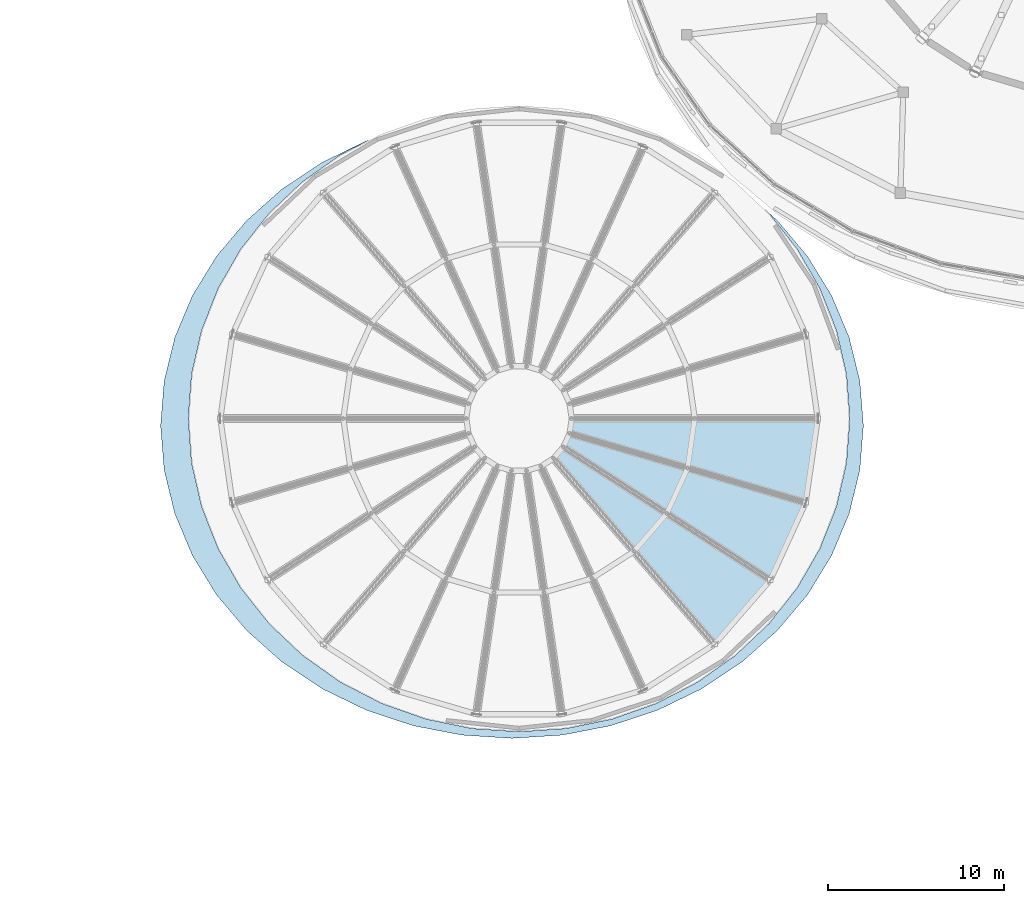
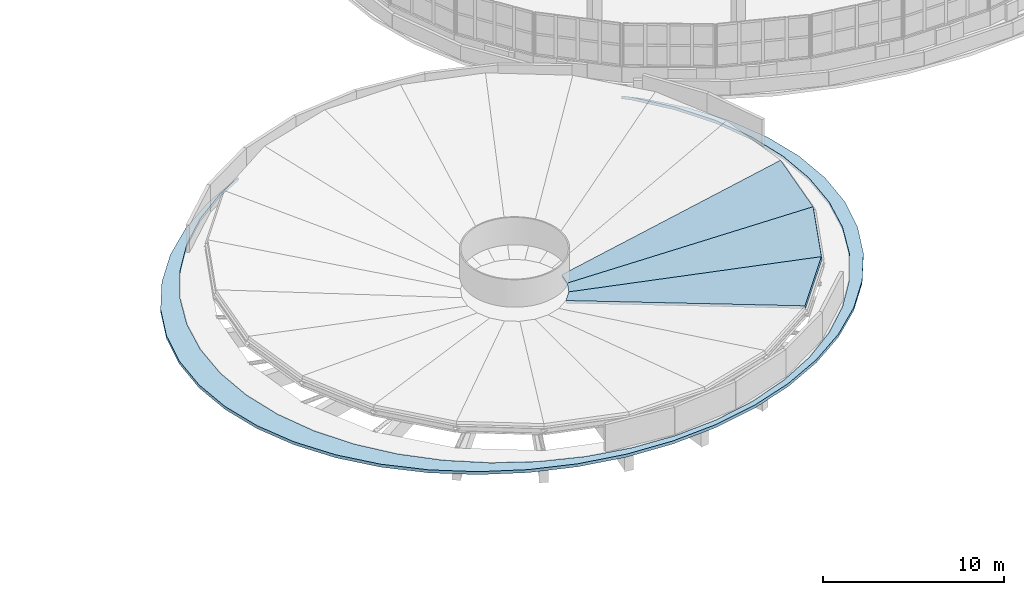
# One storey, part 40 of 69: 4 slabs.
"""IFC4 building model written with IfcOpenShell, lengths in metres."""

from ifc_helpers import new_model, si_unit, direction, frame, origin, place, context, subcontext, project, spatial, polyline, outline, extrude, material, layer, layer_set, type_object, element, save


model = new_model("IFC4")

# Units and contexts
model_context = context("Model", 3, precision=1e-05, world=origin(), true_north=direction((0.0, 1.0)))
body_context = subcontext(model_context, "Body", "Model", "MODEL_VIEW")
ifc_project = project(units=[si_unit("LENGTHUNIT", "METRE"), si_unit("AREAUNIT", "SQUARE_METRE"), si_unit("VOLUMEUNIT", "CUBIC_METRE"), si_unit("PLANEANGLEUNIT", "RADIAN"), si_unit("MASSUNIT", "GRAM", prefix="KILO")], contexts=[model_context])

# Site, building, storey
site_placement = place(None, origin())
site = spatial("IfcSite", under=ifc_project, at=site_placement, CompositionType="ELEMENT")
building_placement = place(site_placement, origin())
building = spatial("IfcBuilding", under=site, at=building_placement, Name="Pelvatis Terrace Science Centre", CompositionType="ELEMENT")
storey_placement = place(building_placement, frame((0.0, 0.0, 15.0)))
storey = spatial("IfcBuildingStorey", under=building, at=storey_placement, Name="L03", CompositionType="ELEMENT", Elevation=15.0)

# Slabs
ifc_material_1 = material(Name="Concrete C35/45", Category="concrete")
ifc_layer_1 = layer(ifc_material_1, 0.18505859375)
ifc_layer_set_1 = layer_set([ifc_layer_1], Name="Concrete C35/45")
slab_type_1 = type_object("IfcSlabType", Name="SLB-BOWL-185", PredefinedType="ROOF", material=ifc_layer_set_1)
slab_1_placement = place(storey_placement, frame((89.132568359375, 41.752197265625, 1.85009765625), z_axis=(-0.152152209072, 0.131835891518, 0.979524886352), x_axis=(0.654849753406, 0.755759088905, 6.77198e-07)))
element("IfcSlab", 1, at=slab_1_placement, inside=storey, type_object=slab_type_1, Name="Shallow closed bowl roof sector 20", PredefinedType="ROOF", context=body_context, shape_type="SweptSolid", body=[
    extrude(outline(polyline([(0.0, 0.0), (4.838820884320223, 4.440892098500626e-16), (2.8464938384160736, 14.147140756278446), (1.9927152233580592, 14.147121607857823), (0.0, 0.0)])), origin(), (0.0, 0.0, -1.0), 0.18505859375),
])
slab_2_placement = place(storey_placement, frame((92.30126953125, 45.4091796875, 1.85009765625), z_axis=(-0.183130574926, 0.083630492632, 0.979524952836), x_axis=(0.415410131009, 0.90963422487, 1.161564e-06)))
element("IfcSlab", 2, at=slab_2_placement, inside=storey, type_object=slab_type_1, Name="Shallow closed bowl roof sector 21", PredefinedType="ROOF", context=body_context, shape_type="SweptSolid", body=[
    extrude(outline(polyline([(0.0, 0.0), (4.838612650034781, 0.0), (2.8463656207285823, 14.14717033521429), (1.992350234036572, 14.147137490697846), (0.0, 0.0)])), origin(), (0.0, 0.0, -1.0), 0.18505859375),
])
slab_3_placement = place(storey_placement, frame((94.311279296875, 49.810546875, 1.85009765625), z_axis=(-0.199272950337, 0.028656279123, 0.979524940433), x_axis=(0.142332807449, 0.989818858136, -1.477257e-06)))
element("IfcSlab", 3, at=slab_3_placement, inside=storey, type_object=slab_type_1, Name="Shallow closed bowl roof sector 22", PredefinedType="ROOF", context=body_context, shape_type="SweptSolid", body=[
    extrude(outline(polyline([(0.0, 0.0), (4.838815236504926, -1.1102230246251565e-16), (2.8461601396632408, 14.147128787703421), (1.9922454362999187, 14.147170559545408), (0.0, 0.0)])), origin(), (0.0, 0.0, -1.0), 0.18505859375),
])
ifc_material_2 = material(Name="Concrete C35/45", Category="concrete")
ifc_layer_2 = layer(ifc_material_2, 0.201904296875)
ifc_layer_set_2 = layer_set([ifc_layer_2], Name="Concrete C35/45")
slab_type_2 = type_object("IfcSlabType", Name="SLB-ROOF-202", PredefinedType="ROOF", material=ifc_layer_set_2)
slab_4_placement = place(storey_placement, frame((0.0, 0.0, -0.201904296875)))
element("IfcSlab", 4, at=slab_4_placement, inside=storey, type_object=slab_type_2, Name="L03 Bowl gallery spiral step collar roof", PredefinedType="ROOF", context=body_context, shape_type="SweptSolid", body=[
    extrude(outline(polyline([(97.396484375, 51.666748046875), (96.789794921875, 49.185302734375), (95.79248046875, 46.8056640625), (94.425048828125, 44.57666015625), (92.715087890625, 42.54345703125), (90.697265625, 40.747802734375), (88.412841796875, 39.2255859375), (85.908203125, 38.008544921875), (83.234619140625, 37.12109375), (80.4462890625, 36.581298828125), (77.60009765625, 36.39990234375), (74.753662109375, 36.581298828125), (71.96533203125, 37.12109375), (69.291748046875, 38.008544921875), (66.787109375, 39.2255859375), (64.502685546875, 40.747802734375), (62.485107421875, 42.54345703125), (60.77490234375, 44.57666015625), (59.407470703125, 46.8056640625), (58.41015625, 49.185302734375), (57.8037109375, 51.666748046875), (57.60009765625, 54.199951171875), (57.8037109375, 56.733154296875), (58.41015625, 59.21484375), (59.407470703125, 61.594482421875), (60.77490234375, 63.823486328125), (62.485107421875, 65.8564453125), (64.502685546875, 67.65234375), (66.787109375, 69.17431640625), (69.291748046875, 70.391357421875), (69.518798828125, 70.466796875), (67.824462890625, 69.590576171875), (65.677001953125, 68.068603515625), (63.778076171875, 66.27099609375), (62.168701171875, 64.23583984375), (60.881591796875, 62.00439453125), (59.9423828125, 59.62060546875), (59.37158203125, 57.13623046875), (59.179931640625, 54.60009765625), (59.37158203125, 52.063720703125), (59.9423828125, 49.579345703125), (60.881591796875, 47.195556640625), (62.168701171875, 44.964111328125), (63.778076171875, 42.928955078125), (65.6748046875, 41.13330078125), (67.826904296875, 39.60791015625), (70.18359375, 38.3896484375), (72.699462890625, 37.50146484375), (75.322998046875, 36.961181640625), (78.00146484375, 36.780029296875), (80.677001953125, 36.961181640625), (83.300537109375, 37.50146484375), (85.81640625, 38.3896484375), (88.173095703125, 39.60791015625), (90.322998046875, 41.13134765625), (92.221923828125, 42.928955078125), (93.831298828125, 44.964111328125), (95.118408203125, 47.195556640625), (96.0576171875, 49.579345703125), (96.62841796875, 52.063720703125), (96.820068359375, 54.60009765625), (96.62841796875, 57.13623046875), (96.0576171875, 59.62060546875), (95.119140625, 62.003173828125), (93.831298828125, 64.23583984375), (92.223876953125, 66.268798828125), (91.79296875, 66.677001953125), (92.715087890625, 65.8564453125), (94.425048828125, 63.823486328125), (95.79248046875, 61.594482421875), (96.789794921875, 59.21484375), (97.396484375, 56.733154296875), (97.60009765625, 54.199951171875), (97.396484375, 51.666748046875)])), origin(), (0.0, 0.0, 1.0), 0.201904296875),
])

save(model, "model.ifc")
